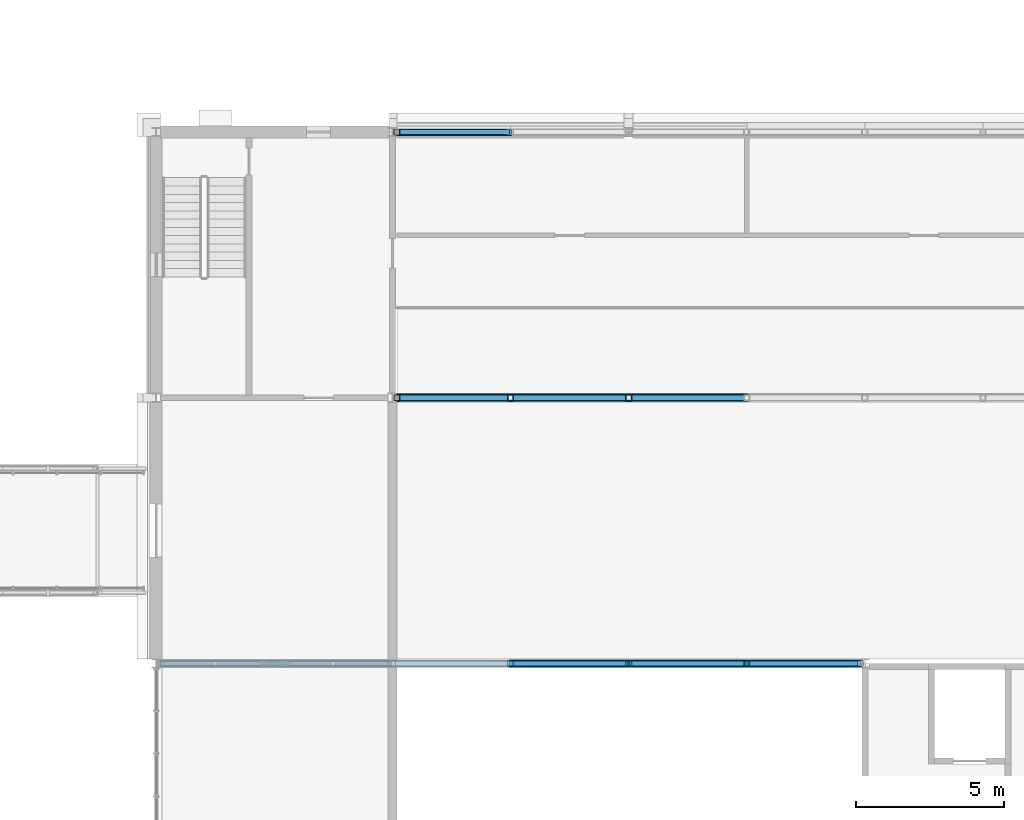
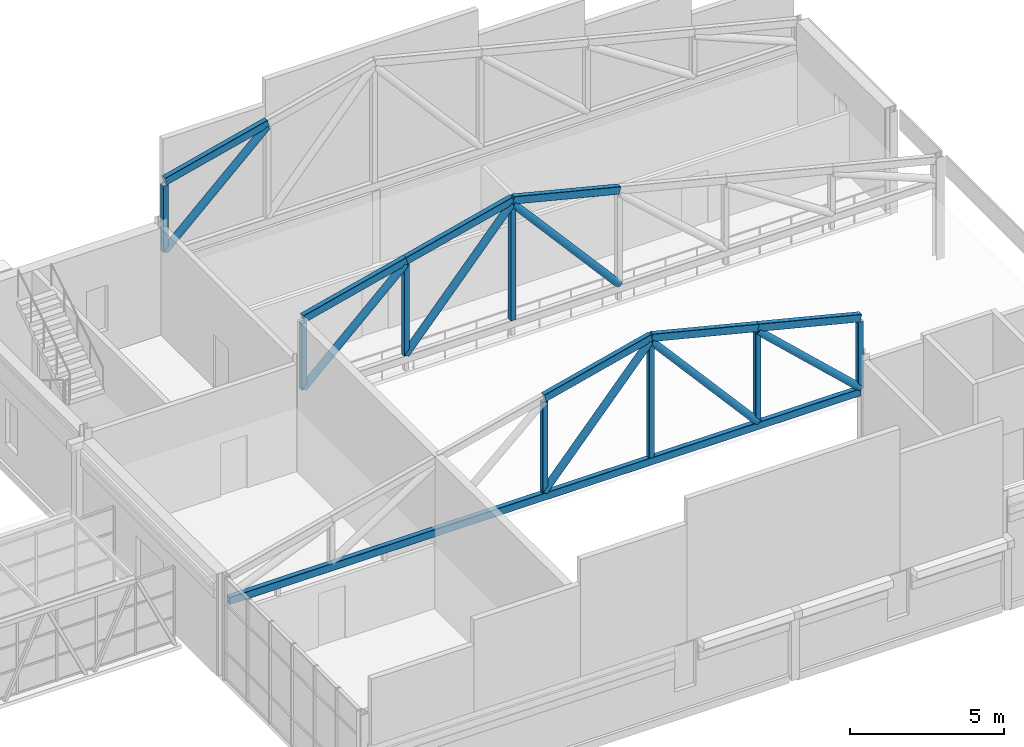
# One storey, part 71 of 149: 23 members.
"""IFC4 building model written with IfcOpenShell, lengths in metres."""

from ifc_helpers import new_model, si_unit, direction, frame, origin, origin_2d, place, context, subcontext, project, spatial, hollow_rectangle, hollow_circle, extrude, material, material_profile, profile_set, type_object, element, save


model = new_model("IFC4")

# Units and contexts
model_context = context("Model", 3, precision=1e-05, world=origin(), true_north=direction((0.0, 1.0)))
body_context = subcontext(model_context, "Body", "Model", "MODEL_VIEW")
ifc_project = project(units=[si_unit("LENGTHUNIT", "METRE"), si_unit("AREAUNIT", "SQUARE_METRE"), si_unit("VOLUMEUNIT", "CUBIC_METRE"), si_unit("PLANEANGLEUNIT", "RADIAN"), si_unit("MASSUNIT", "GRAM", prefix="KILO")], contexts=[model_context])

# Site, building, storey
site_placement = place(None, origin())
site = spatial("IfcSite", under=ifc_project, at=site_placement, CompositionType="ELEMENT")
building_placement = place(site_placement, origin())
building = spatial("IfcBuilding", under=site, at=building_placement, Name="Kallimachos Central Library", CompositionType="ELEMENT")
storey_placement = place(building_placement, frame((0.0, 0.0, 9.89990234375)))
storey = spatial("IfcBuildingStorey", under=building, at=storey_placement, Name="L02", CompositionType="ELEMENT", Elevation=9.89990234375)

# Members
ifc_material_1 = material(Name="Steel S355J2H", Category="steel")
ifc_material_profile_1 = material_profile(ifc_material_1, hollow_circle(Radius=0.136474609375, WallThickness=0.012451171875, at=origin_2d()), Name="CHS 273x12.5")
ifc_profile_set_1 = profile_set([ifc_material_profile_1], Name="Steel S355J2H")
member_type_1 = type_object("IfcMemberType", Name="CHS 273x12.5 truss brace", PredefinedType="BRACE", material=ifc_profile_set_1)
for number, where, z_axis, x_axis, name in (
    (1, (150.0, 96.0, 3.150146484375), (0.656190613651, 0.0, 0.75459517528), (0.0, 1.0, 0.0), "Truss T2 brace 4"),
    (2, (154.0, 96.0, 7.75), (0.656190613651, 0.0, -0.75459517528), (0.0, 1.0, 0.0), "Truss T2 brace 5"),
):
    element("IfcMember", number, at=place(storey_placement, frame(where, z_axis=z_axis, x_axis=x_axis)), inside=storey, type_object=member_type_1, Name=name, PredefinedType="BRACE", context=body_context, shape_type="SweptSolid", body=[
        extrude(hollow_circle(Radius=0.136474609375, WallThickness=0.012451171875, at=origin_2d()), origin(), (0.0, 0.0, 1.0), 6.095703125),
    ])
for number, where, z_axis, x_axis, name in (
    (3, (158.0, 96.0, 6.75), (0.730446562778, 0.0, -0.682969852135), (0.0, 1.0, 0.0), "Truss T2 brace 6"),
    (4, (146.14990234375, 105.0, 3.150146484375), (0.730446562778, 0.0, 0.682969852135), (0.0, 1.0, 0.0), "Truss T3 brace 1"),
):
    element("IfcMember", number, at=place(storey_placement, frame(where, z_axis=z_axis, x_axis=x_axis)), inside=storey, type_object=member_type_1, Name=name, PredefinedType="BRACE", context=body_context, shape_type="SweptSolid", body=[
        extrude(hollow_circle(Radius=0.136474609375, WallThickness=0.012451171875, at=origin_2d()), origin(), (0.0, 0.0, 1.0), 5.27099609375),
    ])
for number, where, z_axis, x_axis, name in (
    (5, (150.0, 105.0, 3.150146484375), (0.656190613651, 0.0, 0.75459517528), (0.0, 1.0, 0.0), "Truss T3 brace 2"),
    (6, (154.0, 105.0, 7.75), (0.656190613651, 0.0, -0.75459517528), (0.0, 1.0, 0.0), "Truss T3 brace 3"),
):
    element("IfcMember", number, at=place(storey_placement, frame(where, z_axis=z_axis, x_axis=x_axis)), inside=storey, type_object=member_type_1, Name=name, PredefinedType="BRACE", context=body_context, shape_type="SweptSolid", body=[
        extrude(hollow_circle(Radius=0.136474609375, WallThickness=0.012451171875, at=origin_2d()), origin(), (0.0, 0.0, 1.0), 6.095703125),
    ])
member_1_placement = place(storey_placement, frame((146.14990234375, 114.0, 3.150146484375), z_axis=(0.730446562778, 0.0, 0.682969852135), x_axis=(0.0, 1.0, 0.0)))
element("IfcMember", 7, at=member_1_placement, inside=storey, type_object=member_type_1, Name="Truss T4 brace 1", PredefinedType="BRACE", context=body_context, shape_type="SweptSolid", body=[
    extrude(hollow_circle(Radius=0.136474609375, WallThickness=0.012451171875, at=origin_2d()), origin(), (0.0, 0.0, 1.0), 5.27099609375),
])
ifc_material_2 = material(Name="Steel S355J2H", Category="steel")
ifc_material_profile_2 = material_profile(ifc_material_2, hollow_rectangle(XDim=0.199951171875, YDim=0.300048828125, WallThickness=0.012451171875, InnerFilletRadius=0.012451171875, OuterFilletRadius=0.018798828125, at=origin_2d()), Name="RHS 300x200x12.5")
ifc_profile_set_2 = profile_set([ifc_material_profile_2], Name="Steel S355J2H")
member_type_2 = type_object("IfcMemberType", Name="RHS 300x200x12.5 truss chord", PredefinedType="CHORD", material=ifc_profile_set_2)
member_2_placement = place(storey_placement, frame((138.14990234375, 96.0, 3.0), z_axis=(1.0, 0.0, 0.0), x_axis=(0.0, 1.0, 0.0)))
element("IfcMember", 8, at=member_2_placement, inside=storey, type_object=member_type_2, Name="Truss T2 bottom chord", PredefinedType="CHORD", context=body_context, shape_type="SweptSolid", body=[
    extrude(hollow_rectangle(XDim=0.199951171875, YDim=0.300048828125, WallThickness=0.012451171875, InnerFilletRadius=0.012451171875, OuterFilletRadius=0.018798828125, at=origin_2d()), origin(), (0.0, 0.0, 1.0), 23.7001953125),
])
for number, where, z_axis, x_axis, name in (
    (9, (150.0, 96.0, 6.900146484375), (0.970142500145, 0.0, 0.242535625036), (0.0, 1.0, 0.0), "Truss T2 top chord 4"),
    (10, (154.0, 96.0, 7.900146484375), (0.970142500145, 0.0, -0.242535625036), (0.0, 1.0, 0.0), "Truss T2 top chord 5"),
):
    element("IfcMember", number, at=place(storey_placement, frame(where, z_axis=z_axis, x_axis=x_axis)), inside=storey, type_object=member_type_2, Name=name, PredefinedType="CHORD", context=body_context, shape_type="SweptSolid", body=[
        extrude(hollow_rectangle(XDim=0.199951171875, YDim=0.300048828125, WallThickness=0.012451171875, InnerFilletRadius=0.012451171875, OuterFilletRadius=0.018798828125, at=origin_2d()), origin(), (0.0, 0.0, 1.0), 4.123046875),
    ])
for number, where, z_axis, x_axis, name in (
    (11, (158.0, 96.0, 6.900146484375), (0.970135262328, 0.0, -0.242564574468), (0.0, 1.0, 0.0), "Truss T2 top chord 6"),
    (12, (146.14990234375, 105.0, 5.9375), (0.970135262328, 0.0, 0.242564574468), (0.0, 1.0, 0.0), "Truss T3 top chord 1"),
):
    element("IfcMember", number, at=place(storey_placement, frame(where, z_axis=z_axis, x_axis=x_axis)), inside=storey, type_object=member_type_2, Name=name, PredefinedType="CHORD", context=body_context, shape_type="SweptSolid", body=[
        extrude(hollow_rectangle(XDim=0.199951171875, YDim=0.300048828125, WallThickness=0.012451171875, InnerFilletRadius=0.012451171875, OuterFilletRadius=0.018798828125, at=origin_2d()), origin(), (0.0, 0.0, 1.0), 3.968505859375),
    ])
for number, where, z_axis, x_axis, name in (
    (13, (150.0, 105.0, 6.900146484375), (0.970142500145, 0.0, 0.242535625036), (0.0, 1.0, 0.0), "Truss T3 top chord 2"),
    (14, (154.0, 105.0, 7.900146484375), (0.970142500145, 0.0, -0.242535625036), (0.0, 1.0, 0.0), "Truss T3 top chord 3"),
):
    element("IfcMember", number, at=place(storey_placement, frame(where, z_axis=z_axis, x_axis=x_axis)), inside=storey, type_object=member_type_2, Name=name, PredefinedType="CHORD", context=body_context, shape_type="SweptSolid", body=[
        extrude(hollow_rectangle(XDim=0.199951171875, YDim=0.300048828125, WallThickness=0.012451171875, InnerFilletRadius=0.012451171875, OuterFilletRadius=0.018798828125, at=origin_2d()), origin(), (0.0, 0.0, 1.0), 4.123046875),
    ])
member_3_placement = place(storey_placement, frame((146.14990234375, 114.0, 5.9375), z_axis=(0.970135262328, 0.0, 0.242564574468), x_axis=(0.0, 1.0, 0.0)))
element("IfcMember", 15, at=member_3_placement, inside=storey, type_object=member_type_2, Name="Truss T4 top chord 1", PredefinedType="CHORD", context=body_context, shape_type="SweptSolid", body=[
    extrude(hollow_rectangle(XDim=0.199951171875, YDim=0.300048828125, WallThickness=0.012451171875, InnerFilletRadius=0.012451171875, OuterFilletRadius=0.018798828125, at=origin_2d()), origin(), (0.0, 0.0, 1.0), 3.968505859375),
])
ifc_material_3 = material(Name="Steel S355J2H", Category="steel")
ifc_material_profile_3 = material_profile(ifc_material_3, hollow_rectangle(XDim=0.199951171875, YDim=0.199951171875, WallThickness=0.010009765625, InnerFilletRadius=0.010009765625, OuterFilletRadius=0.014892578125, at=origin_2d()), Name="SHS 200x200x10")
ifc_profile_set_3 = profile_set([ifc_material_profile_3], Name="Steel S355J2H")
member_type_3 = type_object("IfcMemberType", Name="SHS 200x200x10 truss post", PredefinedType="POST", material=ifc_profile_set_3)
member_4_placement = place(storey_placement, frame((150.0, 96.0, 3.150146484375), z_axis=(0.0, 0.0, 1.0), x_axis=(1.0, 0.0, 0.0)))
element("IfcMember", 16, at=member_4_placement, inside=storey, type_object=member_type_3, Name="Truss T2 post 4", PredefinedType="POST", context=body_context, shape_type="SweptSolid", body=[
    extrude(hollow_rectangle(XDim=0.199951171875, YDim=0.199951171875, WallThickness=0.010009765625, InnerFilletRadius=0.010009765625, OuterFilletRadius=0.014892578125, at=origin_2d()), origin(), (0.0, 0.0, 1.0), 3.599853515625),
])
member_5_placement = place(storey_placement, frame((154.0, 96.0, 3.150146484375), z_axis=(0.0, 0.0, 1.0), x_axis=(1.0, 0.0, 0.0)))
element("IfcMember", 17, at=member_5_placement, inside=storey, type_object=member_type_3, Name="Truss T2 post 5", PredefinedType="POST", context=body_context, shape_type="SweptSolid", body=[
    extrude(hollow_rectangle(XDim=0.199951171875, YDim=0.199951171875, WallThickness=0.010009765625, InnerFilletRadius=0.010009765625, OuterFilletRadius=0.014892578125, at=origin_2d()), origin(), (0.0, 0.0, 1.0), 4.599853515625),
])
member_6_placement = place(storey_placement, frame((158.0, 96.0, 3.150146484375), z_axis=(0.0, 0.0, 1.0), x_axis=(1.0, 0.0, 0.0)))
element("IfcMember", 18, at=member_6_placement, inside=storey, type_object=member_type_3, Name="Truss T2 post 6", PredefinedType="POST", context=body_context, shape_type="SweptSolid", body=[
    extrude(hollow_rectangle(XDim=0.199951171875, YDim=0.199951171875, WallThickness=0.010009765625, InnerFilletRadius=0.010009765625, OuterFilletRadius=0.014892578125, at=origin_2d()), origin(), (0.0, 0.0, 1.0), 3.599853515625),
])
for number, where, z_axis, x_axis, name in (
    (19, (161.85009765625, 96.0, 3.150146484375), (0.0, 0.0, 1.0), (1.0, 0.0, 0.0), "Truss T2 post 7"),
    (20, (146.14990234375, 105.0, 3.150146484375), (0.0, 0.0, 1.0), (1.0, 0.0, 0.0), "Truss T3 post 1"),
):
    element("IfcMember", number, at=place(storey_placement, frame(where, z_axis=z_axis, x_axis=x_axis)), inside=storey, type_object=member_type_3, Name=name, PredefinedType="POST", context=body_context, shape_type="SweptSolid", body=[
        extrude(hollow_rectangle(XDim=0.199951171875, YDim=0.199951171875, WallThickness=0.010009765625, InnerFilletRadius=0.010009765625, OuterFilletRadius=0.014892578125, at=origin_2d()), origin(), (0.0, 0.0, 1.0), 2.637451171875),
    ])
member_7_placement = place(storey_placement, frame((150.0, 105.0, 3.150146484375), z_axis=(0.0, 0.0, 1.0), x_axis=(1.0, 0.0, 0.0)))
element("IfcMember", 21, at=member_7_placement, inside=storey, type_object=member_type_3, Name="Truss T3 post 2", PredefinedType="POST", context=body_context, shape_type="SweptSolid", body=[
    extrude(hollow_rectangle(XDim=0.199951171875, YDim=0.199951171875, WallThickness=0.010009765625, InnerFilletRadius=0.010009765625, OuterFilletRadius=0.014892578125, at=origin_2d()), origin(), (0.0, 0.0, 1.0), 3.599853515625),
])
member_8_placement = place(storey_placement, frame((154.0, 105.0, 3.150146484375), z_axis=(0.0, 0.0, 1.0), x_axis=(1.0, 0.0, 0.0)))
element("IfcMember", 22, at=member_8_placement, inside=storey, type_object=member_type_3, Name="Truss T3 post 3", PredefinedType="POST", context=body_context, shape_type="SweptSolid", body=[
    extrude(hollow_rectangle(XDim=0.199951171875, YDim=0.199951171875, WallThickness=0.010009765625, InnerFilletRadius=0.010009765625, OuterFilletRadius=0.014892578125, at=origin_2d()), origin(), (0.0, 0.0, 1.0), 4.599853515625),
])
member_9_placement = place(storey_placement, frame((146.14990234375, 114.0, 3.150146484375), z_axis=(0.0, 0.0, 1.0), x_axis=(1.0, 0.0, 0.0)))
element("IfcMember", 23, at=member_9_placement, inside=storey, type_object=member_type_3, Name="Truss T4 post 1", PredefinedType="POST", context=body_context, shape_type="SweptSolid", body=[
    extrude(hollow_rectangle(XDim=0.199951171875, YDim=0.199951171875, WallThickness=0.010009765625, InnerFilletRadius=0.010009765625, OuterFilletRadius=0.014892578125, at=origin_2d()), origin(), (0.0, 0.0, 1.0), 2.637451171875),
])

save(model, "model.ifc")
